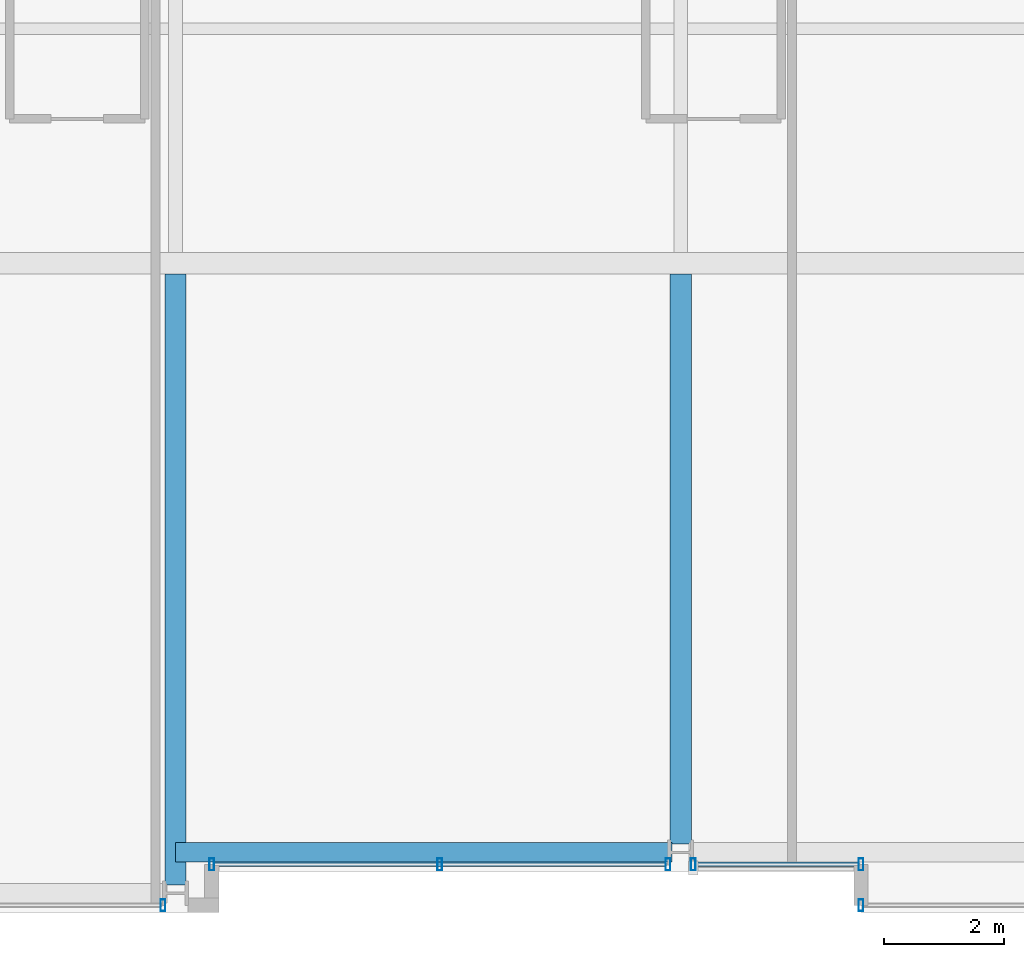
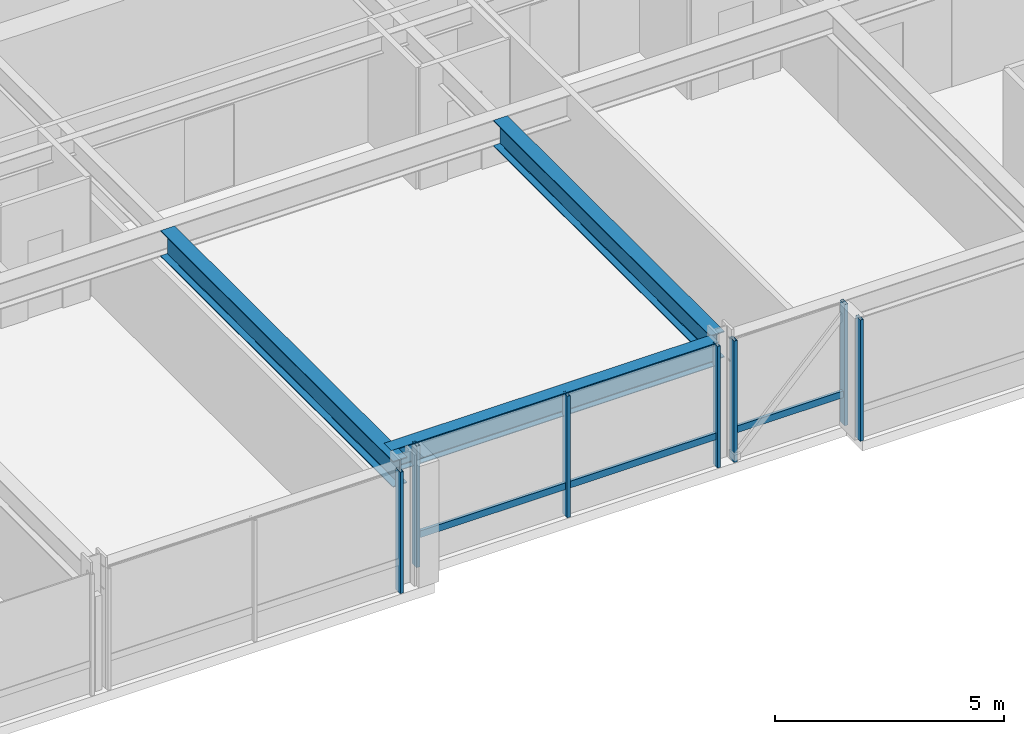
# One storey, part 5 of 35: 9 members, 3 beams, 4 elements without a shape of their own.
"""IFC4 building model written with IfcOpenShell, lengths in metres."""

from ifc_helpers import new_model, si_unit, direction, frame, origin, origin_2d, place, context, subcontext, project, spatial, hollow_rectangle, i_section, extrude, material, layer, layer_set, material_profile, profile_set, type_object, element, aggregate, save


model = new_model("IFC4")

# Units and contexts
model_context = context("Model", 3, precision=1e-05, world=origin(), true_north=direction((0.0, 1.0)))
body_context = subcontext(model_context, "Body", "Model", "MODEL_VIEW")
ifc_project = project(units=[si_unit("LENGTHUNIT", "METRE"), si_unit("AREAUNIT", "SQUARE_METRE"), si_unit("VOLUMEUNIT", "CUBIC_METRE"), si_unit("PLANEANGLEUNIT", "RADIAN"), si_unit("MASSUNIT", "GRAM", prefix="KILO")], contexts=[model_context])

# Site, building, storey
site_placement = place(None, origin())
site = spatial("IfcSite", under=ifc_project, at=site_placement, CompositionType="ELEMENT")
building_placement = place(site_placement, origin())
building = spatial("IfcBuilding", under=site, at=building_placement, Name="Drelvath Grand Hotel", CompositionType="ELEMENT")
storey_placement = place(building_placement, frame((0.0, 0.0, 123.300048828125)))
storey = spatial("IfcBuildingStorey", under=building, at=storey_placement, Name="L31", CompositionType="ELEMENT", Elevation=123.300048828125)

# Curtain wall, member
ifc_material_1 = material(Name="Champagne Bronze Anodised Aluminium Frame", Category="aluminium")
ifc_layer = layer(ifc_material_1, 0.199951171875)
ifc_layer_set = layer_set([ifc_layer], Name="Champagne Bronze Anodised Aluminium Frame")
curtain_wall_type = type_object("IfcCurtainWallType", Name="Stick Curtain Wall CW-03 Champagne Bronze Mid-Rise", PredefinedType="NOTDEFINED", material=ifc_layer_set)
curtain_wall_1_placement = place(storey_placement, origin())
curtain_wall_1 = element("IfcCurtainWall", 1, at=curtain_wall_1_placement, inside=storey, type_object=curtain_wall_type, Name="L31 CW-03 Curtain Wall CW03-L31-SM1", PredefinedType="NOTDEFINED")
ifc_material_profile_1 = material_profile(ifc_material_1, hollow_rectangle(XDim=0.074951171875, YDim=0.179931640625, WallThickness=0.0048828125, at=origin_2d()), Name="HSS180X75X5")
ifc_profile_set_1 = profile_set([ifc_material_profile_1], Name="Champagne Bronze Anodised Aluminium Frame")
member_type_1 = type_object("IfcMemberType", Name="Curtain Wall Horizontal Transom CW-03 HSS180X75X5", PredefinedType="USERDEFINED", material=ifc_profile_set_1)
member_1_placement = place(storey_placement, frame((-0.24951171875, 0.800048828125, 0.81005859375), z_axis=(-1.0, 0.0, 0.0), x_axis=(0.0, -1.0, 0.0)))
member_1 = element("IfcMember", 2, at=member_1_placement, type_object=member_type_1, Name="CW03-L31-SM1 Sill Transom", ObjectType="TRANSOM", PredefinedType="USERDEFINED", context=body_context, shape_type="SweptSolid", body=[
    extrude(hollow_rectangle(XDim=0.074951171875, YDim=0.179931640625, WallThickness=0.0048828125, at=origin_2d()), origin(), (0.0, 0.0, 1.0), 7.510498046875),
])

curtain_wall_2_placement = place(storey_placement, origin())
curtain_wall_2 = element("IfcCurtainWall", 3, at=curtain_wall_2_placement, inside=storey, type_object=curtain_wall_type, Name="L31 CW-03 Curtain Wall CW03-L31-SM2", PredefinedType="NOTDEFINED")
member_2_placement = place(storey_placement, frame((2.9599609375, 0.800048828125, 0.81005859375), z_axis=(-1.0, 0.0, 0.0), x_axis=(0.0, -1.0, 0.0)))
member_2 = element("IfcMember", 4, at=member_2_placement, type_object=member_type_1, Name="CW03-L31-SM2 Sill Transom", ObjectType="TRANSOM", PredefinedType="USERDEFINED", context=body_context, shape_type="SweptSolid", body=[
    extrude(hollow_rectangle(XDim=0.074951171875, YDim=0.179931640625, WallThickness=0.0048828125, at=origin_2d()), origin(), (0.0, 0.0, 1.0), 2.71044921875),
])

curtain_wall_3_placement = place(storey_placement, origin())
curtain_wall_3 = element("IfcCurtainWall", 5, at=curtain_wall_3_placement, inside=storey, type_object=curtain_wall_type, Name="L31 CW-03 Curtain Wall CW03-L31-SE1", PredefinedType="NOTDEFINED")
ifc_material_profile_2 = material_profile(ifc_material_1, hollow_rectangle(XDim=0.080078125, YDim=0.199951171875, WallThickness=0.0048828125, at=origin_2d()), Name="HSS200X80X5")
ifc_profile_set_2 = profile_set([ifc_material_profile_2], Name="Champagne Bronze Anodised Aluminium Frame")
member_type_2 = type_object("IfcMemberType", Name="Curtain Wall Vertical Mullion CW-03 HSS200X80X5", PredefinedType="MULLION", material=ifc_profile_set_2)
member_3_placement = place(storey_placement, frame((3.0, 0.1201171875, 0.0), z_axis=(0.0, 0.0, 1.0), x_axis=(1.0, 0.0, 0.0)))
member_3 = element("IfcMember", 6, at=member_3_placement, type_object=member_type_2, Name="CW03-L31-SE1 Mullion 2", PredefinedType="MULLION", context=body_context, shape_type="SweptSolid", body=[
    extrude(hollow_rectangle(XDim=0.080078125, YDim=0.199951171875, WallThickness=0.0048828125, at=origin_2d()), origin(), (0.0, 0.0, 1.0), 3.239990234375),
])
aggregate(curtain_wall_3, [member_3])

# Member
member_4_placement = place(storey_placement, frame((-0.20947265625, 0.800048828125, 0.0), z_axis=(0.0, 0.0, 1.0), x_axis=(1.0, 0.0, 0.0)))
member_4 = element("IfcMember", 7, at=member_4_placement, type_object=member_type_2, Name="CW03-L31-SM1 Mullion 1", PredefinedType="MULLION", context=body_context, shape_type="SweptSolid", body=[
    extrude(hollow_rectangle(XDim=0.080078125, YDim=0.199951171875, WallThickness=0.0048828125, at=origin_2d()), origin(), (0.0, 0.0, 1.0), 3.239990234375),
])

member_5_placement = place(storey_placement, frame((-4.004638671875, 0.800048828125, 0.0), z_axis=(0.0, 0.0, 1.0), x_axis=(1.0, 0.0, 0.0)))
member_5 = element("IfcMember", 8, at=member_5_placement, type_object=member_type_2, Name="CW03-L31-SM1 Mullion 2", PredefinedType="MULLION", context=body_context, shape_type="SweptSolid", body=[
    extrude(hollow_rectangle(XDim=0.080078125, YDim=0.199951171875, WallThickness=0.0048828125, at=origin_2d()), origin(), (0.0, 0.0, 1.0), 3.239990234375),
])

member_6_placement = place(storey_placement, frame((-7.800048828125, 0.800048828125, 0.0), z_axis=(0.0, 0.0, 1.0), x_axis=(1.0, 0.0, 0.0)))
member_6 = element("IfcMember", 9, at=member_6_placement, type_object=member_type_2, Name="CW03-L31-SM1 Mullion 3", PredefinedType="MULLION", context=body_context, shape_type="SweptSolid", body=[
    extrude(hollow_rectangle(XDim=0.080078125, YDim=0.199951171875, WallThickness=0.0048828125, at=origin_2d()), origin(), (0.0, 0.0, 1.0), 3.239990234375),
])

aggregate(curtain_wall_1, [member_4, member_5, member_6, member_1])

member_7_placement = place(storey_placement, frame((3.0, 0.800048828125, 0.0), z_axis=(0.0, 0.0, 1.0), x_axis=(1.0, 0.0, 0.0)))
member_7 = element("IfcMember", 10, at=member_7_placement, type_object=member_type_2, Name="CW03-L31-SM2 Mullion 1", PredefinedType="MULLION", context=body_context, shape_type="SweptSolid", body=[
    extrude(hollow_rectangle(XDim=0.080078125, YDim=0.199951171875, WallThickness=0.0048828125, at=origin_2d()), origin(), (0.0, 0.0, 1.0), 3.239990234375),
])

member_8_placement = place(storey_placement, frame((0.20947265625, 0.800048828125, 0.0), z_axis=(0.0, 0.0, 1.0), x_axis=(1.0, 0.0, 0.0)))
member_8 = element("IfcMember", 11, at=member_8_placement, type_object=member_type_2, Name="CW03-L31-SM2 Mullion 2", PredefinedType="MULLION", context=body_context, shape_type="SweptSolid", body=[
    extrude(hollow_rectangle(XDim=0.080078125, YDim=0.199951171875, WallThickness=0.0048828125, at=origin_2d()), origin(), (0.0, 0.0, 1.0), 3.239990234375),
])

aggregate(curtain_wall_2, [member_7, member_8, member_2])

# Curtain wall, member
curtain_wall_4_placement = place(storey_placement, origin())
curtain_wall_4 = element("IfcCurtainWall", 12, at=curtain_wall_4_placement, inside=storey, type_object=curtain_wall_type, Name="L31 CW-03 Curtain Wall CW03-L31-SW2", PredefinedType="NOTDEFINED")
member_9_placement = place(storey_placement, frame((-8.609375, 0.1201171875, 0.0), z_axis=(0.0, 0.0, 1.0), x_axis=(1.0, 0.0, 0.0)))
member_9 = element("IfcMember", 13, at=member_9_placement, type_object=member_type_2, Name="CW03-L31-SW2 Mullion 1", PredefinedType="MULLION", context=body_context, shape_type="SweptSolid", body=[
    extrude(hollow_rectangle(XDim=0.080078125, YDim=0.199951171875, WallThickness=0.0048828125, at=origin_2d()), origin(), (0.0, 0.0, 1.0), 3.239990234375),
])
aggregate(curtain_wall_4, [member_9])

# Beams
ifc_material_2 = material(Name="Steel ASTM A992 Gr 50", Category="steel")
ifc_material_profile_3 = material_profile(ifc_material_2, i_section(OverallWidth=0.323974609375, OverallDepth=0.611083984375, WebThickness=0.0126953125, FlangeThickness=0.01904296875, FilletRadius=0.02197265625, at=origin_2d()), Name="W24X104")
ifc_profile_set_3 = profile_set([ifc_material_profile_3], Name="Steel ASTM A992 Gr 50")
beam_type_1 = type_object("IfcBeamType", Name="Perimeter Spandrel Beam W24X104", PredefinedType="SPANDREL", material=ifc_profile_set_3)
beam_1_placement = place(storey_placement, frame((-8.39990234375, 1.0, 2.9345703125), z_axis=(1.0, 0.0, 0.0), x_axis=(0.0, 1.0, 0.0)))
element("IfcBeam", 14, at=beam_1_placement, inside=storey, type_object=beam_type_1, Name="L31 Spandrel South Mid W", PredefinedType="SPANDREL", context=body_context, shape_type="SweptSolid", body=[
    extrude(i_section(OverallWidth=0.323974609375, OverallDepth=0.611083984375, WebThickness=0.0126953125, FlangeThickness=0.01904296875, FilletRadius=0.02197265625, at=origin_2d()), origin(), (0.0, 0.0, 1.0), 8.260009765625),
])
ifc_material_profile_4 = material_profile(ifc_material_2, i_section(OverallWidth=0.354736328125, OverallDepth=0.695556640625, WebThickness=0.015380859375, FlangeThickness=0.025146484375, FilletRadius=0.02392578125, at=origin_2d()), Name="W27X146")
ifc_profile_set_4 = profile_set([ifc_material_profile_4], Name="Steel ASTM A992 Gr 50")
beam_type_2 = type_object("IfcBeamType", Name="Primary Floor Girder W27X146", PredefinedType="BEAM", material=ifc_profile_set_4)
beam_2_placement = place(storey_placement, frame((-8.39990234375, 0.4599609375, 2.892333984375), z_axis=(0.0, 1.0, 0.0), x_axis=(-1.0, 0.0, 0.0)))
element("IfcBeam", 15, at=beam_2_placement, inside=storey, type_object=beam_type_2, Name="L31 South Wing Girder 4", PredefinedType="BEAM", context=body_context, shape_type="SweptSolid", body=[
    extrude(i_section(OverallWidth=0.354736328125, OverallDepth=0.695556640625, WebThickness=0.015380859375, FlangeThickness=0.025146484375, FilletRadius=0.02392578125, at=origin_2d()), origin(), (0.0, 0.0, 1.0), 10.16259765625),
])
beam_3_placement = place(storey_placement, frame((0.0, 1.139892578125, 2.892333984375), z_axis=(0.0, 1.0, 0.0), x_axis=(-1.0, 0.0, 0.0)))
element("IfcBeam", 16, at=beam_3_placement, inside=storey, type_object=beam_type_2, Name="L31 South Wing Girder 5", PredefinedType="BEAM", context=body_context, shape_type="SweptSolid", body=[
    extrude(i_section(OverallWidth=0.354736328125, OverallDepth=0.695556640625, WebThickness=0.015380859375, FlangeThickness=0.025146484375, FilletRadius=0.02392578125, at=origin_2d()), origin(), (0.0, 0.0, 1.0), 9.482666015625),
])

save(model, "model.ifc")
